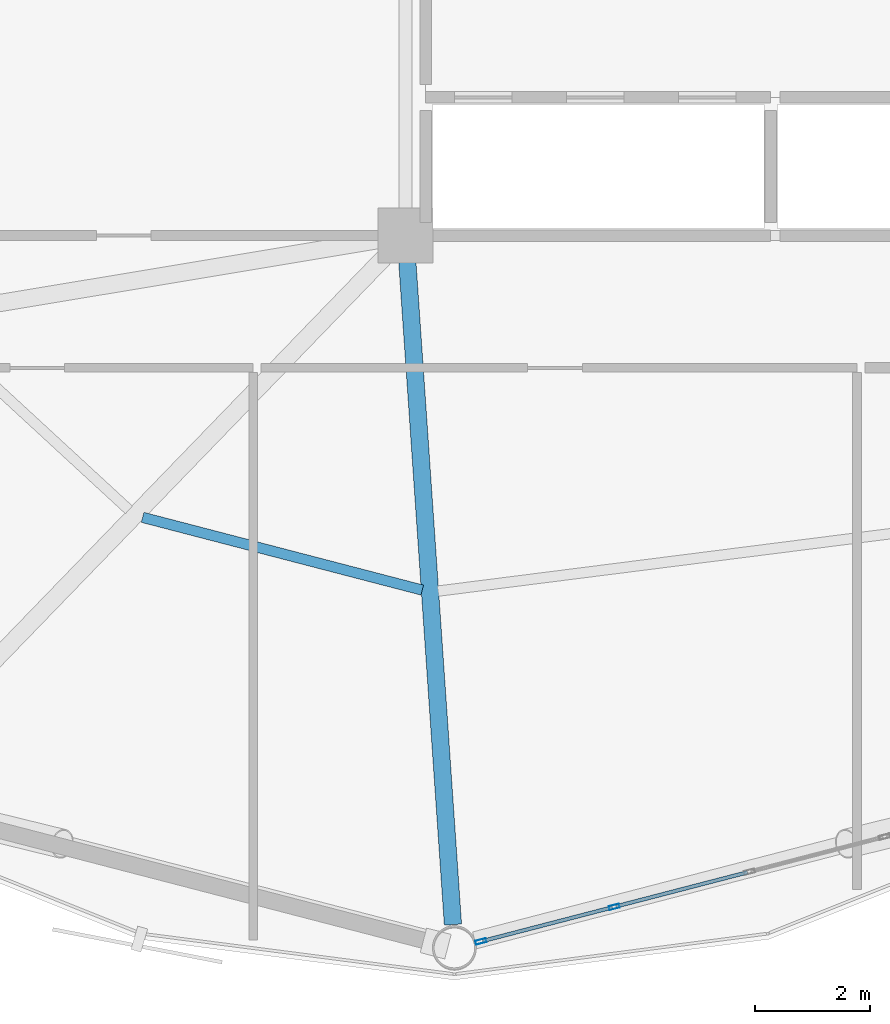
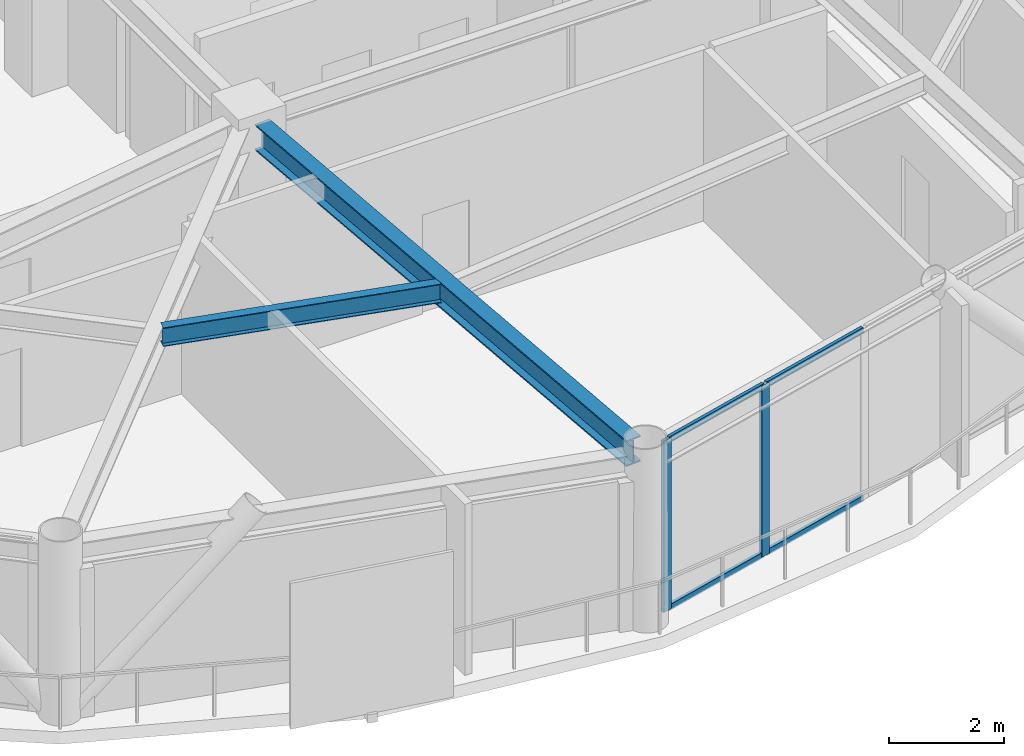
# One storey, part 7 of 25: 6 members, 2 beams, 1 element without a shape of its own.
"""IFC4 building model written with IfcOpenShell, lengths in metres."""

from ifc_helpers import new_model, si_unit, direction, frame, origin, origin_2d, place, context, subcontext, project, spatial, hollow_rectangle, i_section, extrude, material, layer, layer_set, material_profile, profile_set, type_object, element, aggregate, save


model = new_model("IFC4")

# Units and contexts
model_context = context("Model", 3, precision=1e-05, world=origin(), true_north=direction((0.0, 1.0)))
body_context = subcontext(model_context, "Body", "Model", "MODEL_VIEW")
ifc_project = project(units=[si_unit("LENGTHUNIT", "METRE"), si_unit("AREAUNIT", "SQUARE_METRE"), si_unit("VOLUMEUNIT", "CUBIC_METRE"), si_unit("PLANEANGLEUNIT", "RADIAN"), si_unit("MASSUNIT", "GRAM", prefix="KILO")], contexts=[model_context])

# Site, building, storey
site_placement = place(None, origin())
site = spatial("IfcSite", under=ifc_project, at=site_placement, CompositionType="ELEMENT")
building_placement = place(site_placement, origin())
building = spatial("IfcBuilding", under=site, at=building_placement, Name="Varnakorn Sky Granary", CompositionType="ELEMENT")
storey_placement = place(building_placement, frame((0.0, 0.0, 157.800048828125)))
storey = spatial("IfcBuildingStorey", under=building, at=storey_placement, Name="L39", CompositionType="ELEMENT", Elevation=157.800048828125)

# Beams
ifc_material_1 = material(Name="Steel S355JR", Category="steel")
ifc_material_profile_1 = material_profile(ifc_material_1, i_section(OverallWidth=0.300048828125, OverallDepth=0.550048828125, WebThickness=0.014892578125, FlangeThickness=0.029052734375, at=origin_2d()), Name="HE 550 B")
ifc_profile_set_1 = profile_set([ifc_material_profile_1], Name="Steel S355JR")
beam_type_1 = type_object("IfcBeamType", Name="BM-RAD-Z3", PredefinedType="BEAM", material=ifc_profile_set_1)
beam_1_placement = place(storey_placement, frame((-2.321044921875, -7.01904296875, 3.364990234375), z_axis=(0.068682065176, -0.997638598854, 0.0), x_axis=(0.997638598854, 0.068682065176, 0.0)))
element("IfcBeam", 1, at=beam_1_placement, inside=storey, type_object=beam_type_1, Name="Radial Floor Girder RG10 L39", PredefinedType="BEAM", context=body_context, shape_type="SweptSolid", body=[
    extrude(i_section(OverallWidth=0.300048828125, OverallDepth=0.550048828125, WebThickness=0.014892578125, FlangeThickness=0.029052734375, at=origin_2d()), origin(), (0.0, 0.0, 1.0), 11.588134765625),
])
ifc_material_profile_2 = material_profile(ifc_material_1, i_section(OverallWidth=0.179931640625, OverallDepth=0.39990234375, WebThickness=0.008544921875, FlangeThickness=0.013427734375, at=origin_2d()), Name="IPE 400")
ifc_profile_set_2 = profile_set([ifc_material_profile_2], Name="Steel S355JR")
beam_type_2 = type_object("IfcBeamType", Name="BM-SEC-Z3", PredefinedType="BEAM", material=ifc_profile_set_2)
beam_2_placement = place(storey_placement, frame((-6.92041015625, -11.49951171875, 3.43994140625), z_axis=(0.967794568862, -0.251741280843, 0.0), x_axis=(0.251741280843, 0.967794568862, 0.0)))
element("IfcBeam", 2, at=beam_2_placement, inside=storey, type_object=beam_type_2, Name="Secondary Floor Chord Beam MSB09 L39", PredefinedType="BEAM", context=body_context, shape_type="SweptSolid", body=[
    extrude(i_section(OverallWidth=0.179931640625, OverallDepth=0.39990234375, WebThickness=0.008544921875, FlangeThickness=0.013427734375, at=origin_2d()), origin(), (0.0, 0.0, 1.0), 5.023681640625),
])

# Curtain wall, members
ifc_material_2 = material(Name="Anodised Bronze Aluminium Alloy 6063-T6", Category="aluminium")
ifc_layer = layer(ifc_material_2, 0.179931640625, Name="Anodised Bronze Aluminium Alloy 6063-T6")
ifc_layer_set = layer_set([ifc_layer], Name="Anodised Bronze Aluminium Alloy 6063-T6")
curtain_wall_type = type_object("IfcCurtainWallType", Name="CW-FRM-2", PredefinedType="USERDEFINED", material=ifc_layer_set)
curtain_wall_placement = place(storey_placement, origin())
curtain_wall = element("IfcCurtainWall", 3, at=curtain_wall_placement, inside=storey, type_object=curtain_wall_type, Name="Unitised Curtain Wall CW4 CW-L39-B10", ObjectType="CURTAIN WALL", PredefinedType="USERDEFINED")
ifc_material_profile_3 = material_profile(ifc_material_2, hollow_rectangle(XDim=0.070068359375, YDim=0.18505859375, WallThickness=0.00390625, at=origin_2d()), Name="ALU MULL 70x185")
ifc_profile_set_3 = profile_set([ifc_material_profile_3], Name="Anodised Bronze Aluminium Alloy 6063-T6")
member_type_1 = type_object("IfcMemberType", Name="CW-FRM-2-MULL", PredefinedType="MULLION", material=ifc_profile_set_3)
member_1_placement = place(storey_placement, frame((1.27783203125, -18.272216796875, 0.0), z_axis=(0.0, 0.0, 1.0), x_axis=(0.251145766302, -0.967949277632, 0.0)))
member_1 = element("IfcMember", 4, at=member_1_placement, type_object=member_type_1, Name="CW4 mullion 4", PredefinedType="MULLION", context=body_context, shape_type="SweptSolid", body=[
    extrude(hollow_rectangle(XDim=0.070068359375, YDim=0.18505859375, WallThickness=0.00390625, at=origin_2d()), origin(), (0.0, 0.0, 1.0), 3.639892578125),
])
member_2_placement = place(storey_placement, frame((-1.039306640625, -18.873291015625, 0.0), z_axis=(0.0, 0.0, 1.0), x_axis=(0.251145766302, -0.967949277632, 0.0)))
member_2 = element("IfcMember", 5, at=member_2_placement, type_object=member_type_1, Name="CW4 mullion 5", PredefinedType="MULLION", context=body_context, shape_type="SweptSolid", body=[
    extrude(hollow_rectangle(XDim=0.070068359375, YDim=0.18505859375, WallThickness=0.00390625, at=origin_2d()), origin(), (0.0, 0.0, 1.0), 3.639892578125),
])
ifc_material_profile_4 = material_profile(ifc_material_2, hollow_rectangle(XDim=0.06494140625, YDim=0.1201171875, WallThickness=0.00341796875, at=origin_2d()), Name="ALU TRAN 65x120")
ifc_profile_set_4 = profile_set([ifc_material_profile_4], Name="Anodised Bronze Aluminium Alloy 6063-T6")
member_type_2 = type_object("IfcMemberType", Name="CW-FRM-2-TRAN", PredefinedType="USERDEFINED", material=ifc_profile_set_4)
member_3_placement = place(storey_placement, frame((3.594970703125, -17.671142578125, 0.032470703125), z_axis=(-0.967961500574, -0.251098652737, 0.0), x_axis=(0.251098652737, -0.967961500574, 0.0)))
member_3 = element("IfcMember", 6, at=member_3_placement, type_object=member_type_2, Name="CW4 transom 3.1", ObjectType="TRANSOM", PredefinedType="USERDEFINED", context=body_context, shape_type="SweptSolid", body=[
    extrude(hollow_rectangle(XDim=0.06494140625, YDim=0.1201171875, WallThickness=0.00341796875, at=origin_2d()), origin(), (0.0, 0.0, 1.0), 2.35888671875),
])
member_4_placement = place(storey_placement, frame((3.594970703125, -17.671142578125, 3.607421875), z_axis=(-0.967961500574, -0.251098652737, 0.0), x_axis=(0.251098652737, -0.967961500574, 0.0)))
member_4 = element("IfcMember", 7, at=member_4_placement, type_object=member_type_2, Name="CW4 transom 3.2", ObjectType="TRANSOM", PredefinedType="USERDEFINED", context=body_context, shape_type="SweptSolid", body=[
    extrude(hollow_rectangle(XDim=0.06494140625, YDim=0.1201171875, WallThickness=0.00341796875, at=origin_2d()), origin(), (0.0, 0.0, 1.0), 2.35888671875),
])
member_5_placement = place(storey_placement, frame((1.243896484375, -18.281005859375, 0.032470703125), z_axis=(-0.967960020585, -0.251104357885, 0.0), x_axis=(0.251104357885, -0.967960020585, 0.0)))
member_5 = element("IfcMember", 8, at=member_5_placement, type_object=member_type_2, Name="CW4 transom 4.1", ObjectType="TRANSOM", PredefinedType="USERDEFINED", context=body_context, shape_type="SweptSolid", body=[
    extrude(hollow_rectangle(XDim=0.06494140625, YDim=0.1201171875, WallThickness=0.00341796875, at=origin_2d()), origin(), (0.0, 0.0, 1.0), 2.32373046875),
])
member_6_placement = place(storey_placement, frame((1.243896484375, -18.281005859375, 3.607421875), z_axis=(-0.967960020585, -0.251104357885, 0.0), x_axis=(0.251104357885, -0.967960020585, 0.0)))
member_6 = element("IfcMember", 9, at=member_6_placement, type_object=member_type_2, Name="CW4 transom 4.2", ObjectType="TRANSOM", PredefinedType="USERDEFINED", context=body_context, shape_type="SweptSolid", body=[
    extrude(hollow_rectangle(XDim=0.06494140625, YDim=0.1201171875, WallThickness=0.00341796875, at=origin_2d()), origin(), (0.0, 0.0, 1.0), 2.32373046875),
])
aggregate(curtain_wall, [member_1, member_2, member_3, member_4, member_5, member_6])

save(model, "model.ifc")
